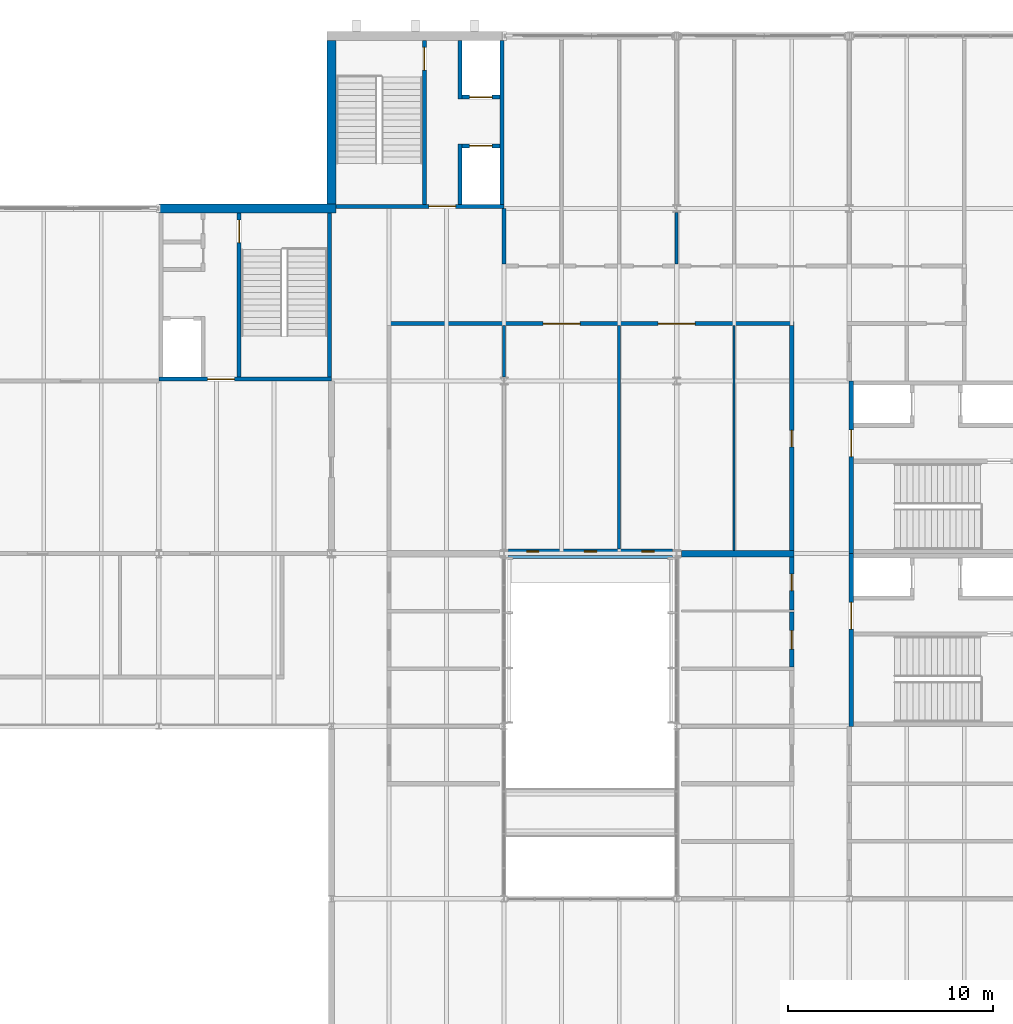
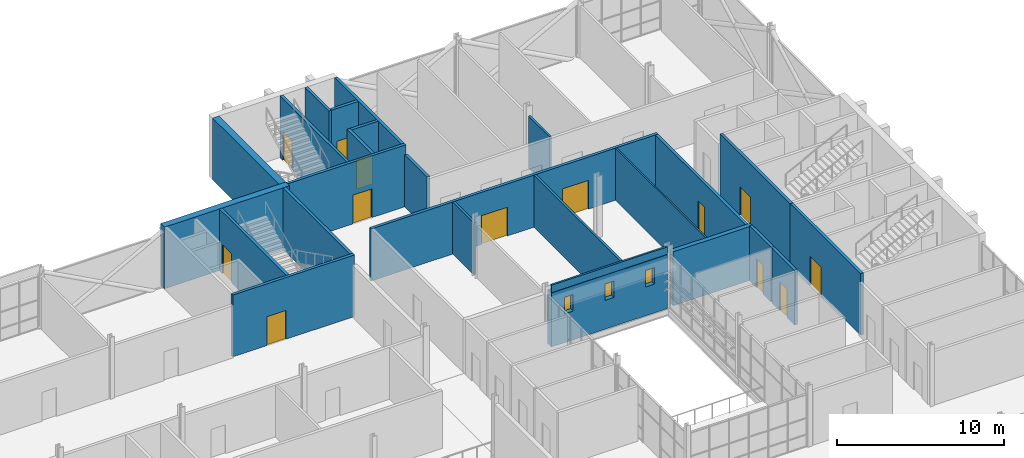
# One storey, part 94 of 129: 26 walls, 13 doors, 3 windows, 16 openings.
"""IFC4 building model written with IfcOpenShell, lengths in metres."""

from ifc_helpers import new_model, si_unit, direction, frame, frame_2d, origin, place, context, subcontext, project, spatial, rectangle, extrude, material, layer, layer_set, type_object, element, fill, save


model = new_model("IFC4")

# Units and contexts
model_context = context("Model", 3, precision=1e-05, world=origin(), true_north=direction((0.0, 1.0)))
body_context = subcontext(model_context, "Body", "Model", "MODEL_VIEW")
ifc_project = project(units=[si_unit("LENGTHUNIT", "METRE"), si_unit("AREAUNIT", "SQUARE_METRE"), si_unit("VOLUMEUNIT", "CUBIC_METRE"), si_unit("PLANEANGLEUNIT", "RADIAN"), si_unit("MASSUNIT", "GRAM", prefix="KILO")], contexts=[model_context])

# Site, building, storey
site_placement = place(None, origin())
site = spatial("IfcSite", under=ifc_project, at=site_placement, CompositionType="ELEMENT")
building_placement = place(site_placement, origin())
building = spatial("IfcBuilding", under=site, at=building_placement, Name="Ardhachandra Cancer Care Centre", CompositionType="ELEMENT")
storey_placement = place(building_placement, frame((0.0, 0.0, 4.5)))
storey = spatial("IfcBuildingStorey", under=building, at=storey_placement, Name="L01", CompositionType="ELEMENT", Elevation=4.5)

# Wall
ifc_material_1 = material(Name="Brick masonry", Category="masonry")
ifc_layer_1 = layer(ifc_material_1, 0.300048828125)
ifc_layer_set_1 = layer_set([ifc_layer_1], Name="Brick masonry")
wall_type_1 = type_object("IfcWallType", Name="COMPARTMENT WALL 300", PredefinedType="SOLIDWALL", material=ifc_layer_set_1)
wall_1_placement = place(storey_placement, frame((128.625, 79.800048828125, 0.0), z_axis=(0.0, 0.0, 1.0), x_axis=(1.0, 0.0, 0.0)))
element("IfcWall", 1, at=wall_1_placement, inside=storey, type_object=wall_type_1, Name="R/wall/L01/h0079800_0128625", PredefinedType="SOLIDWALL", context=body_context, shape_type="SweptSolid", body=[
    extrude(rectangle(XDim=5.47509765625, YDim=0.300048828125, at=frame_2d((2.737548828125, 0.0))), origin(), (0.0, 0.0, 1.0), 3.93603515625),
])

# Wall, openings, doors
ifc_material_2 = material(Name="Gypsum board corridor partition on steel studs", Category="steel")
ifc_layer_2 = layer(ifc_material_2, 0.199951171875)
ifc_layer_set_2 = layer_set([ifc_layer_2], Name="Gypsum board corridor partition on steel studs")
wall_type_2 = type_object("IfcWallType", Name="CORRIDOR WALL 200", PredefinedType="PARTITIONING", material=ifc_layer_set_2)
wall_2_placement = place(storey_placement, frame((114.300048828125, 91.0, 0.0), z_axis=(0.0, 0.0, 1.0), x_axis=(1.0, 0.0, 0.0)))
wall_2 = element("IfcWall", 2, at=wall_2_placement, inside=storey, type_object=wall_type_2, Name="R/wall/L01/h0091000_0114300", PredefinedType="PARTITIONING", context=body_context, shape_type="SweptSolid", body=[
    extrude(rectangle(XDim=19.800048828125, YDim=0.199951171875, at=frame_2d((9.89990234375, 0.0))), origin(), (0.0, 0.0, 1.0), 3.800048828125),
])
opening_1_placement = place(wall_2_placement, frame((7.60009765625, 0.0, 0.0)))
opening_1 = element("IfcOpeningElement", 3, at=opening_1_placement, cuts=wall_2, Name="Opening L01-0035", PredefinedType="OPENING", context=body_context, shape_type="SweptSolid", body=[
    extrude(rectangle(XDim=1.800048828125, YDim=2.10009765625, at=frame_2d((0.89990234375, 1.050048828125))), frame((0.0, 0.10986328125, 0.0), z_axis=(0.0, -1.0, 0.0), x_axis=(1.0, 0.0, 0.0)), (0.0, 0.0, 1.0), 0.219970703125),
])
opening_2_placement = place(wall_2_placement, frame((13.199951171875, 0.0, 0.0)))
opening_2 = element("IfcOpeningElement", 4, at=opening_2_placement, cuts=wall_2, Name="Opening L01-0036", PredefinedType="OPENING", context=body_context, shape_type="SweptSolid", body=[
    extrude(rectangle(XDim=1.800048828125, YDim=2.10009765625, at=frame_2d((0.89990234375, 1.050048828125))), frame((0.0, 0.10986328125, 0.0), z_axis=(0.0, -1.0, 0.0), x_axis=(1.0, 0.0, 0.0)), (0.0, 0.0, 1.0), 0.219970703125),
])
ifc_material_3 = material(Name="Timber fire door with smoke seals", Category="wood")
door_type_1 = type_object("IfcDoorType", Name="FIRE DOOR DOUBLE 1800x2100 FD30S", OperationType="NOTDEFINED", PredefinedType="DOOR", material=ifc_material_3)
door_1_placement = place(opening_1_placement, origin())
door_1 = element("IfcDoor", 5, at=door_1_placement, inside=storey, type_object=door_type_1, Name="Door L01-0035", OperationType="DOUBLE_DOOR_SINGLE_SWING", OverallHeight=2.10009765625, OverallWidth=1.800048828125, PredefinedType="DOOR", context=body_context, shape_type="SweptSolid", body=[
    extrude(rectangle(XDim=1.800048828125, YDim=2.10009765625, at=frame_2d((0.89990234375, 1.050048828125))), frame((0.0, 0.02490234375, 0.0), z_axis=(0.0, -1.0, 0.0), x_axis=(1.0, 0.0, 0.0)), (0.0, 0.0, 1.0), 0.050048828125),
])
fill(opening_1, door_1)
door_2_placement = place(opening_2_placement, origin())
door_2 = element("IfcDoor", 6, at=door_2_placement, inside=storey, type_object=door_type_1, Name="Door L01-0036", OperationType="DOUBLE_DOOR_SINGLE_SWING", OverallHeight=2.10009765625, OverallWidth=1.800048828125, PredefinedType="DOOR", context=body_context, shape_type="SweptSolid", body=[
    extrude(rectangle(XDim=1.800048828125, YDim=2.10009765625, at=frame_2d((0.89990234375, 1.050048828125))), frame((0.0, 0.02490234375, 0.0), z_axis=(0.0, -1.0, 0.0), x_axis=(1.0, 0.0, 0.0)), (0.0, 0.0, 1.0), 0.050048828125),
])
fill(opening_2, door_2)

# Wall
wall_3_placement = place(storey_placement, frame((120.0, 93.89990234375, 0.0), z_axis=(0.0, 0.0, 1.0), x_axis=(0.0, 1.0, 0.0)))
element("IfcWall", 7, at=wall_3_placement, inside=storey, type_object=wall_type_2, Name="R/wall/L01/v0120000_0093900", PredefinedType="PARTITIONING", context=body_context, shape_type="SweptSolid", body=[
    extrude(rectangle(XDim=2.7001953125, YDim=0.199951171875, at=frame_2d((1.35009765625, 0.0))), origin(), (0.0, 0.0, 1.0), 3.800048828125),
])

# Wall, opening, door
wall_4_placement = place(storey_placement, frame((134.0, 74.27490234375, 0.0), z_axis=(0.0, 0.0, 1.0), x_axis=(0.0, 1.0, 0.0)))
wall_4 = element("IfcWall", 8, at=wall_4_placement, inside=storey, type_object=wall_type_2, Name="R/wall/L01/v0134000_0074275", PredefinedType="PARTITIONING", context=body_context, shape_type="SweptSolid", body=[
    extrude(rectangle(XDim=2.675048828125, YDim=0.199951171875, at=frame_2d((1.33740234375, 0.0))), origin(), (0.0, 0.0, 1.0), 3.99609375),
])
opening_3_placement = place(wall_4_placement, frame((0.875, 0.0, 0.0)))
opening_3 = element("IfcOpeningElement", 9, at=opening_3_placement, cuts=wall_4, Name="Opening L01-0083", PredefinedType="OPENING", context=body_context, shape_type="SweptSolid", body=[
    extrude(rectangle(XDim=0.89990234375, YDim=2.10009765625, at=frame_2d((0.449951171875, 1.050048828125))), frame((0.0, 0.10986328125, 0.0), z_axis=(0.0, -1.0, 0.0), x_axis=(1.0, 0.0, 0.0)), (0.0, 0.0, 1.0), 0.219970703125),
])
ifc_material_4 = material(Name="Timber fire door with smoke seals", Category="wood")
door_type_2 = type_object("IfcDoorType", Name="FIRE DOOR WC 900x2100 FD30S", OperationType="NOTDEFINED", PredefinedType="DOOR", material=ifc_material_4)
door_3_placement = place(opening_3_placement, origin())
door_3 = element("IfcDoor", 10, at=door_3_placement, inside=storey, type_object=door_type_2, Name="Door L01-0083", OperationType="SINGLE_SWING_LEFT", OverallHeight=2.10009765625, OverallWidth=0.89990234375, PredefinedType="DOOR", context=body_context, shape_type="SweptSolid", body=[
    extrude(rectangle(XDim=0.89990234375, YDim=2.10009765625, at=frame_2d((0.449951171875, 1.050048828125))), frame((0.0, 0.02490234375, 0.0), z_axis=(0.0, -1.0, 0.0), x_axis=(1.0, 0.0, 0.0)), (0.0, 0.0, 1.0), 0.050048828125),
])
fill(opening_3, door_3)

wall_5_placement = place(storey_placement, frame((134.0, 77.050048828125, 0.0), z_axis=(0.0, 0.0, 1.0), x_axis=(0.0, 1.0, 0.0)))
wall_5 = element("IfcWall", 11, at=wall_5_placement, inside=storey, type_object=wall_type_2, Name="R/wall/L01/v0134000_0077050", PredefinedType="PARTITIONING", context=body_context, shape_type="SweptSolid", body=[
    extrude(rectangle(XDim=2.599853515625, YDim=0.199951171875, at=frame_2d((1.2998046875, 0.0))), origin(), (0.0, 0.0, 1.0), 3.99609375),
])
opening_4_placement = place(wall_5_placement, frame((0.949951171875, 0.0, 0.0)))
opening_4 = element("IfcOpeningElement", 12, at=opening_4_placement, cuts=wall_5, Name="Opening L01-0084", PredefinedType="OPENING", context=body_context, shape_type="SweptSolid", body=[
    extrude(rectangle(XDim=0.800048828125, YDim=2.10009765625, at=frame_2d((0.39990234375, 1.050048828125))), frame((0.0, 0.10986328125, 0.0), z_axis=(0.0, -1.0, 0.0), x_axis=(1.0, 0.0, 0.0)), (0.0, 0.0, 1.0), 0.219970703125),
])
ifc_material_5 = material(Name="Timber flush fire door", Category="wood")
door_type_3 = type_object("IfcDoorType", Name="STORE DOOR 800x2100 FD30S", OperationType="NOTDEFINED", PredefinedType="DOOR", material=ifc_material_5)
door_4_placement = place(opening_4_placement, origin())
door_4 = element("IfcDoor", 13, at=door_4_placement, inside=storey, type_object=door_type_3, Name="Door L01-0084", OperationType="SINGLE_SWING_RIGHT", OverallHeight=2.10009765625, OverallWidth=0.800048828125, PredefinedType="DOOR", context=body_context, shape_type="SweptSolid", body=[
    extrude(rectangle(XDim=0.800048828125, YDim=2.10009765625, at=frame_2d((0.39990234375, 1.050048828125))), frame((0.0, 0.02490234375, 0.0), z_axis=(0.0, -1.0, 0.0), x_axis=(1.0, 0.0, 0.0)), (0.0, 0.0, 1.0), 0.050048828125),
])
fill(opening_4, door_4)

wall_6_placement = place(storey_placement, frame((134.0, 79.949951171875, 0.0), z_axis=(0.0, 0.0, 1.0), x_axis=(0.0, 1.0, 0.0)))
wall_6 = element("IfcWall", 14, at=wall_6_placement, inside=storey, type_object=wall_type_2, Name="R/wall/L01/v0134000_0079950", PredefinedType="PARTITIONING", context=body_context, shape_type="SweptSolid", body=[
    extrude(rectangle(XDim=10.949951171875, YDim=0.199951171875, at=frame_2d((5.47509765625, 0.0))), origin(), (0.0, 0.0, 1.0), 3.800048828125),
])
opening_5_placement = place(wall_6_placement, frame((5.050048828125, 0.0, 0.0)))
opening_5 = element("IfcOpeningElement", 15, at=opening_5_placement, cuts=wall_6, Name="Opening L01-0085", PredefinedType="OPENING", context=body_context, shape_type="SweptSolid", body=[
    extrude(rectangle(XDim=0.800048828125, YDim=2.10009765625, at=frame_2d((0.39990234375, 1.050048828125))), frame((0.0, 0.10986328125, 0.0), z_axis=(0.0, -1.0, 0.0), x_axis=(1.0, 0.0, 0.0)), (0.0, 0.0, 1.0), 0.219970703125),
])
door_5_placement = place(opening_5_placement, origin())
door_5 = element("IfcDoor", 16, at=door_5_placement, inside=storey, type_object=door_type_3, Name="Door L01-0085", OperationType="SINGLE_SWING_RIGHT", OverallHeight=2.10009765625, OverallWidth=0.800048828125, PredefinedType="DOOR", context=body_context, shape_type="SweptSolid", body=[
    extrude(rectangle(XDim=0.800048828125, YDim=2.10009765625, at=frame_2d((0.39990234375, 1.050048828125))), frame((0.0, 0.02490234375, 0.0), z_axis=(0.0, -1.0, 0.0), x_axis=(1.0, 0.0, 0.0)), (0.0, 0.0, 1.0), 0.050048828125),
])
fill(opening_5, door_5)

# Walls
ifc_material_6 = material(Name="Concrete M40", Category="concrete")
ifc_layer_3 = layer(ifc_material_6, 0.449951171875)
ifc_layer_set_3 = layer_set([ifc_layer_3], Name="Concrete M40")
wall_type_3 = type_object("IfcWallType", Name="Core exterior wall RC 450", PredefinedType="SOLIDWALL", material=ifc_layer_set_3)
wall_7_placement = place(storey_placement, frame((111.824951171875, 96.60009765625, 0.0), z_axis=(0.0, 0.0, 1.0), x_axis=(-1.0, 0.0, 0.0)))
element("IfcWall", 17, at=wall_7_placement, inside=storey, type_object=wall_type_3, Name="Core wall K7 FAR", PredefinedType="SOLIDWALL", context=body_context, shape_type="SweptSolid", body=[
    extrude(rectangle(XDim=8.625, YDim=0.449951171875, at=frame_2d((4.3125, 0.0))), origin(), (0.0, 0.0, 1.0), 4.5),
])
wall_8_placement = place(storey_placement, frame((111.60009765625, 96.824951171875, 0.0), z_axis=(0.0, 0.0, 1.0), x_axis=(0.0, 1.0, 0.0)))
element("IfcWall", 18, at=wall_8_placement, inside=storey, type_object=wall_type_3, Name="Core wall K12 UW", PredefinedType="SOLIDWALL", context=body_context, shape_type="SweptSolid", body=[
    extrude(rectangle(XDim=7.949951171875, YDim=0.449951171875, at=frame_2d((3.97509765625, 0.0))), origin(), (0.0, 0.0, 1.0), 4.5),
])

# Wall, opening, door
ifc_material_7 = material(Name="Concrete M40", Category="concrete")
ifc_layer_4 = layer(ifc_material_7, 0.199951171875)
ifc_layer_set_4 = layer_set([ifc_layer_4], Name="Concrete M40")
wall_type_4 = type_object("IfcWallType", Name="Core wall RC 200", PredefinedType="SOLIDWALL", material=ifc_layer_set_4)
wall_9_placement = place(storey_placement, frame((111.60009765625, 88.300048828125, 0.0), z_axis=(0.0, 0.0, 1.0), x_axis=(-1.0, 0.0, 0.0)))
wall_9 = element("IfcWall", 19, at=wall_9_placement, inside=storey, type_object=wall_type_4, Name="Core wall K7 ENT", PredefinedType="SOLIDWALL", context=body_context, shape_type="SweptSolid", body=[
    extrude(rectangle(XDim=8.400146484375, YDim=0.199951171875, at=frame_2d((4.2001953125, 0.0))), origin(), (0.0, 0.0, 1.0), 4.5),
])
opening_6_placement = place(wall_9_placement, frame((4.72509765625, 0.0, 0.0)))
opening_6 = element("IfcOpeningElement", 20, at=opening_6_placement, cuts=wall_9, Name="Opening L01-K07-1", PredefinedType="OPENING", context=body_context, shape_type="SweptSolid", body=[
    extrude(rectangle(XDim=1.300048828125, YDim=2.10009765625, at=frame_2d((0.64990234375, 1.050048828125))), frame((0.0, 0.10986328125, 0.0), z_axis=(0.0, -1.0, 0.0), x_axis=(1.0, 0.0, 0.0)), (0.0, 0.0, 1.0), 0.219970703125),
])
ifc_material_8 = material(Name="Steel door set", Category="steel")
door_type_4 = type_object("IfcDoorType", Name="Core entry double door 1300x2100 FD60", OperationType="DOUBLE_DOOR_DOUBLE_SWING", PredefinedType="DOOR", material=ifc_material_8)
door_6_placement = place(opening_6_placement, origin())
door_6 = element("IfcDoor", 21, at=door_6_placement, inside=storey, type_object=door_type_4, Name="Core entry door", OperationType="DOUBLE_DOOR_DOUBLE_SWING", OverallHeight=2.10009765625, OverallWidth=1.300048828125, PredefinedType="DOOR", context=body_context, shape_type="SweptSolid", body=[
    extrude(rectangle(XDim=1.300048828125, YDim=2.10009765625, at=frame_2d((0.64990234375, 1.050048828125))), frame((0.0, 0.02490234375, 0.0), z_axis=(0.0, -1.0, 0.0), x_axis=(1.0, 0.0, 0.0)), (0.0, 0.0, 1.0), 0.050048828125),
])
fill(opening_6, door_6)

# Wall
wall_10_placement = place(storey_placement, frame((111.5, 88.39990234375, 0.0), z_axis=(0.0, 0.0, 1.0), x_axis=(0.0, 1.0, 0.0)))
element("IfcWall", 22, at=wall_10_placement, inside=storey, type_object=wall_type_4, Name="Core wall K7 UW", PredefinedType="SOLIDWALL", context=body_context, shape_type="SweptSolid", body=[
    extrude(rectangle(XDim=7.97509765625, YDim=0.199951171875, at=frame_2d((3.987548828125, 0.0))), origin(), (0.0, 0.0, 1.0), 4.5),
])

# Wall, opening, door
wall_11_placement = place(storey_placement, frame((107.10009765625, 88.39990234375, 0.0), z_axis=(0.0, 0.0, 1.0), x_axis=(0.0, 1.0, 0.0)))
wall_11 = element("IfcWall", 23, at=wall_11_placement, inside=storey, type_object=wall_type_4, Name="Core wall K7 P1", PredefinedType="SOLIDWALL", context=body_context, shape_type="SweptSolid", body=[
    extrude(rectangle(XDim=7.97509765625, YDim=0.199951171875, at=frame_2d((3.987548828125, 0.0))), origin(), (0.0, 0.0, 1.0), 4.5),
])
opening_7_placement = place(wall_11_placement, frame((6.53759765625, 0.0, 0.0)))
opening_7 = element("IfcOpeningElement", 24, at=opening_7_placement, cuts=wall_11, Name="Opening L01-K07-2", PredefinedType="OPENING", context=body_context, shape_type="SweptSolid", body=[
    extrude(rectangle(XDim=1.10009765625, YDim=2.10009765625, at=frame_2d((0.550048828125, 1.050048828125))), frame((0.0, 0.10986328125, 0.0), z_axis=(0.0, -1.0, 0.0), x_axis=(1.0, 0.0, 0.0)), (0.0, 0.0, 1.0), 0.219970703125),
])
ifc_material_9 = material(Name="Steel door set", Category="steel")
door_type_5 = type_object("IfcDoorType", Name="Stair door 1100x2100 FD60S", OperationType="NOTDEFINED", PredefinedType="DOOR", material=ifc_material_9)
door_7_placement = place(opening_7_placement, origin())
door_7 = element("IfcDoor", 25, at=door_7_placement, inside=storey, type_object=door_type_5, Name="Stair door", OperationType="SINGLE_SWING_LEFT", OverallHeight=2.10009765625, OverallWidth=1.10009765625, PredefinedType="DOOR", context=body_context, shape_type="SweptSolid", body=[
    extrude(rectangle(XDim=1.10009765625, YDim=2.10009765625, at=frame_2d((0.550048828125, 1.050048828125))), frame((0.0, 0.02490234375, 0.0), z_axis=(0.0, -1.0, 0.0), x_axis=(1.0, 0.0, 0.0)), (0.0, 0.0, 1.0), 0.050048828125),
])
fill(opening_7, door_7)

wall_12_placement = place(storey_placement, frame((136.89990234375, 71.39990234375, 0.0), z_axis=(0.0, 0.0, 1.0), x_axis=(0.0, 1.0, 0.0)))
wall_12 = element("IfcWall", 26, at=wall_12_placement, inside=storey, type_object=wall_type_4, Name="Core wall K10 ENT", PredefinedType="SOLIDWALL", context=body_context, shape_type="SweptSolid", body=[
    extrude(rectangle(XDim=8.400146484375, YDim=0.199951171875, at=frame_2d((4.2001953125, 0.0))), origin(), (0.0, 0.0, 1.0), 4.5),
])
opening_8_placement = place(wall_12_placement, frame((4.72509765625, 0.0, 0.0)))
opening_8 = element("IfcOpeningElement", 27, at=opening_8_placement, cuts=wall_12, Name="Opening L01-K10-1", PredefinedType="OPENING", context=body_context, shape_type="SweptSolid", body=[
    extrude(rectangle(XDim=1.300048828125, YDim=2.10009765625, at=frame_2d((0.64990234375, 1.050048828125))), frame((0.0, 0.10986328125, 0.0), z_axis=(0.0, -1.0, 0.0), x_axis=(1.0, 0.0, 0.0)), (0.0, 0.0, 1.0), 0.219970703125),
])
door_8_placement = place(opening_8_placement, origin())
door_8 = element("IfcDoor", 28, at=door_8_placement, inside=storey, type_object=door_type_4, Name="Core entry door", OperationType="DOUBLE_DOOR_DOUBLE_SWING", OverallHeight=2.10009765625, OverallWidth=1.300048828125, PredefinedType="DOOR", context=body_context, shape_type="SweptSolid", body=[
    extrude(rectangle(XDim=1.300048828125, YDim=2.10009765625, at=frame_2d((0.64990234375, 1.050048828125))), frame((0.0, 0.02490234375, 0.0), z_axis=(0.0, -1.0, 0.0), x_axis=(1.0, 0.0, 0.0)), (0.0, 0.0, 1.0), 0.050048828125),
])
fill(opening_8, door_8)

wall_13_placement = place(storey_placement, frame((111.824951171875, 96.699951171875, 0.0), z_axis=(0.0, 0.0, 1.0), x_axis=(1.0, 0.0, 0.0)))
wall_13 = element("IfcWall", 29, at=wall_13_placement, inside=storey, type_object=wall_type_4, Name="Core wall K12 ENT", PredefinedType="SOLIDWALL", context=body_context, shape_type="SweptSolid", body=[
    extrude(rectangle(XDim=8.175048828125, YDim=0.199951171875, at=frame_2d((4.08740234375, 0.0))), origin(), (0.0, 0.0, 1.0), 4.5),
])
opening_9_placement = place(wall_13_placement, frame((4.512451171875, 0.0, 0.0)))
opening_9 = element("IfcOpeningElement", 30, at=opening_9_placement, cuts=wall_13, Name="Opening L01-K12-1", PredefinedType="OPENING", context=body_context, shape_type="SweptSolid", body=[
    extrude(rectangle(XDim=1.300048828125, YDim=2.10009765625, at=frame_2d((0.64990234375, 1.050048828125))), frame((0.0, 0.10986328125, 0.0), z_axis=(0.0, -1.0, 0.0), x_axis=(1.0, 0.0, 0.0)), (0.0, 0.0, 1.0), 0.219970703125),
])
door_9_placement = place(opening_9_placement, origin())
door_9 = element("IfcDoor", 31, at=door_9_placement, inside=storey, type_object=door_type_4, Name="Core entry door", OperationType="DOUBLE_DOOR_DOUBLE_SWING", OverallHeight=2.10009765625, OverallWidth=1.300048828125, PredefinedType="DOOR", context=body_context, shape_type="SweptSolid", body=[
    extrude(rectangle(XDim=1.300048828125, YDim=2.10009765625, at=frame_2d((0.64990234375, 1.050048828125))), frame((0.0, 0.02490234375, 0.0), z_axis=(0.0, -1.0, 0.0), x_axis=(1.0, 0.0, 0.0)), (0.0, 0.0, 1.0), 0.050048828125),
])
fill(opening_9, door_9)

# Wall
wall_14_placement = place(storey_placement, frame((119.89990234375, 96.800048828125, 0.0), z_axis=(0.0, 0.0, 1.0), x_axis=(0.0, 1.0, 0.0)))
element("IfcWall", 32, at=wall_14_placement, inside=storey, type_object=wall_type_4, Name="Core wall K12 UE", PredefinedType="SOLIDWALL", context=body_context, shape_type="SweptSolid", body=[
    extrude(rectangle(XDim=7.974853515625, YDim=0.199951171875, at=frame_2d((3.9873046875, 0.0))), origin(), (0.0, 0.0, 1.0), 4.5),
])

# Wall, opening, door
wall_15_placement = place(storey_placement, frame((116.125, 96.800048828125, 0.0), z_axis=(0.0, 0.0, 1.0), x_axis=(0.0, 1.0, 0.0)))
wall_15 = element("IfcWall", 33, at=wall_15_placement, inside=storey, type_object=wall_type_4, Name="Core wall K12 P1", PredefinedType="SOLIDWALL", context=body_context, shape_type="SweptSolid", body=[
    extrude(rectangle(XDim=7.974853515625, YDim=0.199951171875, at=frame_2d((3.9873046875, 0.0))), origin(), (0.0, 0.0, 1.0), 4.5),
])
opening_10_placement = place(wall_15_placement, frame((6.53759765625, 0.0, 0.0)))
opening_10 = element("IfcOpeningElement", 34, at=opening_10_placement, cuts=wall_15, Name="Opening L01-K12-2", PredefinedType="OPENING", context=body_context, shape_type="SweptSolid", body=[
    extrude(rectangle(XDim=1.10009765625, YDim=2.10009765625, at=frame_2d((0.550048828125, 1.050048828125))), frame((0.0, 0.10986328125, 0.0), z_axis=(0.0, -1.0, 0.0), x_axis=(1.0, 0.0, 0.0)), (0.0, 0.0, 1.0), 0.219970703125),
])
door_10_placement = place(opening_10_placement, origin())
door_10 = element("IfcDoor", 35, at=door_10_placement, inside=storey, type_object=door_type_5, Name="Stair door", OperationType="SINGLE_SWING_RIGHT", OverallHeight=2.10009765625, OverallWidth=1.10009765625, PredefinedType="DOOR", context=body_context, shape_type="SweptSolid", body=[
    extrude(rectangle(XDim=1.10009765625, YDim=2.10009765625, at=frame_2d((0.550048828125, 1.050048828125))), frame((0.0, 0.02490234375, 0.0), z_axis=(0.0, -1.0, 0.0), x_axis=(1.0, 0.0, 0.0)), (0.0, 0.0, 1.0), 0.050048828125),
])
fill(opening_10, door_10)

# Walls
wall_16_placement = place(storey_placement, frame((117.85009765625, 96.800048828125, 0.0), z_axis=(0.0, 0.0, 1.0), x_axis=(0.0, 1.0, 0.0)))
element("IfcWall", 36, at=wall_16_placement, inside=storey, type_object=wall_type_4, Name="Core wall K12 P2A", PredefinedType="SOLIDWALL", context=body_context, shape_type="SweptSolid", body=[
    extrude(rectangle(XDim=2.949951171875, YDim=0.199951171875, at=frame_2d((1.47509765625, 0.0))), origin(), (0.0, 0.0, 1.0), 4.5),
])
wall_17_placement = place(storey_placement, frame((117.85009765625, 101.925048828125, 0.0), z_axis=(0.0, 0.0, 1.0), x_axis=(0.0, 1.0, 0.0)))
element("IfcWall", 37, at=wall_17_placement, inside=storey, type_object=wall_type_4, Name="Core wall K12 P2B", PredefinedType="SOLIDWALL", context=body_context, shape_type="SweptSolid", body=[
    extrude(rectangle(XDim=2.849853515625, YDim=0.199951171875, at=frame_2d((1.4248046875, 0.0))), origin(), (0.0, 0.0, 1.0), 4.5),
])

# Wall, opening, door
wall_18_placement = place(storey_placement, frame((117.949951171875, 99.64990234375, 0.0), z_axis=(0.0, 0.0, 1.0), x_axis=(1.0, 0.0, 0.0)))
wall_18 = element("IfcWall", 38, at=wall_18_placement, inside=storey, type_object=wall_type_4, Name="Core wall K12 W1", PredefinedType="SOLIDWALL", context=body_context, shape_type="SweptSolid", body=[
    extrude(rectangle(XDim=1.85009765625, YDim=0.199951171875, at=frame_2d((0.925048828125, 0.0))), origin(), (0.0, 0.0, 1.0), 4.5),
])
opening_11_placement = place(wall_18_placement, frame((0.375, 0.0, 0.0)))
opening_11 = element("IfcOpeningElement", 39, at=opening_11_placement, cuts=wall_18, Name="Opening L01-K12-3", PredefinedType="OPENING", context=body_context, shape_type="SweptSolid", body=[
    extrude(rectangle(XDim=1.10009765625, YDim=2.10009765625, at=frame_2d((0.550048828125, 1.050048828125))), frame((0.0, 0.10986328125, 0.0), z_axis=(0.0, -1.0, 0.0), x_axis=(1.0, 0.0, 0.0)), (0.0, 0.0, 1.0), 0.219970703125),
])
ifc_material_10 = material(Name="Stainless steel (grade 304)", Category="steel")
door_type_6 = type_object("IfcDoorType", Name="Lift landing door 1100x2100", OperationType="DOUBLE_DOOR_SLIDING", PredefinedType="DOOR", material=ifc_material_10)
door_11_placement = place(opening_11_placement, origin())
door_11 = element("IfcDoor", 40, at=door_11_placement, inside=storey, type_object=door_type_6, Name="Lift landing door LF-K12-1", OperationType="DOUBLE_DOOR_SLIDING", OverallHeight=2.10009765625, OverallWidth=1.10009765625, PredefinedType="DOOR", context=body_context, shape_type="SweptSolid", body=[
    extrude(rectangle(XDim=1.10009765625, YDim=2.10009765625, at=frame_2d((0.550048828125, 1.050048828125))), frame((0.0, 0.02490234375, 0.0), z_axis=(0.0, -1.0, 0.0), x_axis=(1.0, 0.0, 0.0)), (0.0, 0.0, 1.0), 0.050048828125),
])
fill(opening_11, door_11)

wall_19_placement = place(storey_placement, frame((117.949951171875, 102.02490234375, 0.0), z_axis=(0.0, 0.0, 1.0), x_axis=(1.0, 0.0, 0.0)))
wall_19 = element("IfcWall", 41, at=wall_19_placement, inside=storey, type_object=wall_type_4, Name="Core wall K12 W2", PredefinedType="SOLIDWALL", context=body_context, shape_type="SweptSolid", body=[
    extrude(rectangle(XDim=1.85009765625, YDim=0.199951171875, at=frame_2d((0.925048828125, 0.0))), origin(), (0.0, 0.0, 1.0), 4.5),
])
opening_12_placement = place(wall_19_placement, frame((0.375, 0.0, 0.0)))
opening_12 = element("IfcOpeningElement", 42, at=opening_12_placement, cuts=wall_19, Name="Opening L01-K12-4", PredefinedType="OPENING", context=body_context, shape_type="SweptSolid", body=[
    extrude(rectangle(XDim=1.10009765625, YDim=2.10009765625, at=frame_2d((0.550048828125, 1.050048828125))), frame((0.0, 0.10986328125, 0.0), z_axis=(0.0, -1.0, 0.0), x_axis=(1.0, 0.0, 0.0)), (0.0, 0.0, 1.0), 0.219970703125),
])
door_12_placement = place(opening_12_placement, origin())
door_12 = element("IfcDoor", 43, at=door_12_placement, inside=storey, type_object=door_type_6, Name="Lift landing door LF-K12-2", OperationType="DOUBLE_DOOR_SLIDING", OverallHeight=2.10009765625, OverallWidth=1.10009765625, PredefinedType="DOOR", context=body_context, shape_type="SweptSolid", body=[
    extrude(rectangle(XDim=1.10009765625, YDim=2.10009765625, at=frame_2d((0.550048828125, 1.050048828125))), frame((0.0, 0.02490234375, 0.0), z_axis=(0.0, -1.0, 0.0), x_axis=(1.0, 0.0, 0.0)), (0.0, 0.0, 1.0), 0.050048828125),
])
fill(opening_12, door_12)

wall_20_placement = place(storey_placement, frame((136.89990234375, 79.800048828125, 0.0), z_axis=(0.0, 0.0, 1.0), x_axis=(0.0, 1.0, 0.0)))
wall_20 = element("IfcWall", 44, at=wall_20_placement, inside=storey, type_object=wall_type_4, Name="Core wall K13 ENT", PredefinedType="SOLIDWALL", context=body_context, shape_type="SweptSolid", body=[
    extrude(rectangle(XDim=8.39990234375, YDim=0.199951171875, at=frame_2d((4.199951171875, 0.0))), origin(), (0.0, 0.0, 1.0), 4.5),
])
opening_13_placement = place(wall_20_placement, frame((4.72509765625, 0.0, 0.0)))
opening_13 = element("IfcOpeningElement", 45, at=opening_13_placement, cuts=wall_20, Name="Opening L01-K13-1", PredefinedType="OPENING", context=body_context, shape_type="SweptSolid", body=[
    extrude(rectangle(XDim=1.300048828125, YDim=2.10009765625, at=frame_2d((0.64990234375, 1.050048828125))), frame((0.0, 0.10986328125, 0.0), z_axis=(0.0, -1.0, 0.0), x_axis=(1.0, 0.0, 0.0)), (0.0, 0.0, 1.0), 0.219970703125),
])
door_13_placement = place(opening_13_placement, origin())
door_13 = element("IfcDoor", 46, at=door_13_placement, inside=storey, type_object=door_type_4, Name="Core entry door", OperationType="DOUBLE_DOOR_DOUBLE_SWING", OverallHeight=2.10009765625, OverallWidth=1.300048828125, PredefinedType="DOOR", context=body_context, shape_type="SweptSolid", body=[
    extrude(rectangle(XDim=1.300048828125, YDim=2.10009765625, at=frame_2d((0.64990234375, 1.050048828125))), frame((0.0, 0.02490234375, 0.0), z_axis=(0.0, -1.0, 0.0), x_axis=(1.0, 0.0, 0.0)), (0.0, 0.0, 1.0), 0.050048828125),
])
fill(opening_13, door_13)

# Walls
ifc_material_11 = material(Name="Precast Concrete M30 fascia panel with brick slip facing", Category="masonry")
ifc_layer_5 = layer(ifc_material_11, 0.1298828125)
ifc_layer_set_5 = layer_set([ifc_layer_5], Name="Precast Concrete M30 fascia panel with brick slip facing")
wall_type_5 = type_object("IfcWallType", Name="Edge beam fascia 130", PredefinedType="SOLIDWALL", material=ifc_layer_set_5)
wall_21_placement = place(storey_placement, frame((120.197509765625, 79.639892578125, 3.9560546875), z_axis=(0.0, 0.0, 1.0), x_axis=(1.0, 0.0, 0.0)))
element("IfcWall", 47, at=wall_21_placement, inside=storey, type_object=wall_type_5, Name="E/fascia/L01/s/0120000_0079800", PredefinedType="SOLIDWALL", context=body_context, shape_type="SweptSolid", body=[
    extrude(rectangle(XDim=8.0048828125, YDim=0.1298828125, at=frame_2d((4.00244140625, 0.0))), origin(), (0.0, 0.0, 1.0), 0.5439453125),
])
ifc_material_12 = material(Name="Gypsum board partition on steel studs", Category="steel")
ifc_layer_6 = layer(ifc_material_12, 0.14990234375)
ifc_layer_set_6 = layer_set([ifc_layer_6], Name="Gypsum board partition on steel studs")
wall_type_6 = type_object("IfcWallType", Name="PARTITION 150", PredefinedType="PARTITIONING", material=ifc_layer_set_6)
wall_22_placement = place(storey_placement, frame((120.0, 88.3974609375, 0.0), z_axis=(0.0, 0.0, 1.0), x_axis=(0.0, 1.0, 0.0)))
element("IfcWall", 48, at=wall_22_placement, inside=storey, type_object=wall_type_6, Name="R/wall/L01/v0120000_0088398", PredefinedType="PARTITIONING", context=body_context, shape_type="SweptSolid", body=[
    extrude(rectangle(XDim=2.50244140625, YDim=0.14990234375, at=frame_2d((1.251220703125, 0.0))), origin(), (0.0, 0.0, 1.0), 3.800048828125),
])
wall_23_placement = place(storey_placement, frame((125.60009765625, 80.02490234375, 0.0), z_axis=(0.0, 0.0, 1.0), x_axis=(0.0, 1.0, 0.0)))
element("IfcWall", 49, at=wall_23_placement, inside=storey, type_object=wall_type_6, Name="R/wall/L01/v0125600_0080025", PredefinedType="PARTITIONING", context=body_context, shape_type="SweptSolid", body=[
    extrude(rectangle(XDim=10.875, YDim=0.14990234375, at=frame_2d((5.4375, 0.0))), origin(), (0.0, 0.0, 1.0), 3.800048828125),
])
wall_24_placement = place(storey_placement, frame((128.39990234375, 93.89990234375, 0.0), z_axis=(0.0, 0.0, 1.0), x_axis=(0.0, 1.0, 0.0)))
element("IfcWall", 50, at=wall_24_placement, inside=storey, type_object=wall_type_6, Name="R/wall/L01/v0128400_0093900", PredefinedType="PARTITIONING", context=body_context, shape_type="SweptSolid", body=[
    extrude(rectangle(XDim=2.502685546875, YDim=0.14990234375, at=frame_2d((1.25146484375, 0.0))), origin(), (0.0, 0.0, 1.0), 3.800048828125),
])
ifc_material_13 = material(Name="Concrete block masonry", Category="masonry")
ifc_layer_7 = layer(ifc_material_13, 0.10009765625)
ifc_layer_set_7 = layer_set([ifc_layer_7], Name="Concrete block masonry")
wall_type_7 = type_object("IfcWallType", Name="STORE PARTITION 100", PredefinedType="SOLIDWALL", material=ifc_layer_set_7)
wall_25_placement = place(storey_placement, frame((131.199951171875, 79.949951171875, 0.0), z_axis=(0.0, 0.0, 1.0), x_axis=(0.0, 1.0, 0.0)))
element("IfcWall", 51, at=wall_25_placement, inside=storey, type_object=wall_type_7, Name="R/wall/L01/v0131200_0079950", PredefinedType="SOLIDWALL", context=body_context, shape_type="SweptSolid", body=[
    extrude(rectangle(XDim=10.949951171875, YDim=0.10009765625, at=frame_2d((5.47509765625, 0.0))), origin(), (0.0, 0.0, 1.0), 3.800048828125),
])

# Wall, openings, windows
ifc_material_14 = material(Name="Brick masonry with Concrete M30 core 150", Category="masonry")
ifc_layer_8 = layer(ifc_material_14, 0.449951171875)
ifc_layer_set_8 = layer_set([ifc_layer_8], Name="Brick masonry with Concrete M30 core 150")
wall_type_8 = type_object("IfcWallType", Name="Shielded brick wall 450", PredefinedType="SOLIDWALL", material=ifc_layer_set_8)
wall_26_placement = place(storey_placement, frame((120.197509765625, 79.800048828125, 0.0), z_axis=(0.0, 0.0, 1.0), x_axis=(1.0, 0.0, 0.0)))
wall_26 = element("IfcWall", 52, at=wall_26_placement, inside=storey, type_object=wall_type_8, Name="E/wall/L01/s/0120000_0079800", PredefinedType="SOLIDWALL", context=body_context, shape_type="SweptSolid", body=[
    extrude(rectangle(XDim=8.0048828125, YDim=0.449951171875, at=frame_2d((4.00244140625, 0.0))), origin(), (0.0, 0.0, 1.0), 3.93603515625),
])
opening_14_placement = place(wall_26_placement, frame((0.902587890625, 0.0, 2.10009765625)))
opening_14 = element("IfcOpeningElement", 53, at=opening_14_placement, cuts=wall_26, Name="Opening W4", PredefinedType="OPENING", context=body_context, shape_type="SweptSolid", body=[
    extrude(rectangle(XDim=0.60009765625, YDim=1.199951171875, at=frame_2d((0.300048828125, 0.60009765625))), frame((0.0, 0.23486328125, 0.0), z_axis=(0.0, -1.0, 0.0), x_axis=(1.0, 0.0, 0.0)), (0.0, 0.0, 1.0), 0.469970703125),
])
opening_15_placement = place(wall_26_placement, frame((3.702392578125, 0.0, 2.10009765625)))
opening_15 = element("IfcOpeningElement", 54, at=opening_15_placement, cuts=wall_26, Name="Opening W4", PredefinedType="OPENING", context=body_context, shape_type="SweptSolid", body=[
    extrude(rectangle(XDim=0.60009765625, YDim=1.199951171875, at=frame_2d((0.300048828125, 0.60009765625))), frame((0.0, 0.23486328125, 0.0), z_axis=(0.0, -1.0, 0.0), x_axis=(1.0, 0.0, 0.0)), (0.0, 0.0, 1.0), 0.469970703125),
])
opening_16_placement = place(wall_26_placement, frame((6.50244140625, 0.0, 2.10009765625)))
opening_16 = element("IfcOpeningElement", 55, at=opening_16_placement, cuts=wall_26, Name="Opening W4", PredefinedType="OPENING", context=body_context, shape_type="SweptSolid", body=[
    extrude(rectangle(XDim=0.60009765625, YDim=1.199951171875, at=frame_2d((0.300048828125, 0.60009765625))), frame((0.0, 0.23486328125, 0.0), z_axis=(0.0, -1.0, 0.0), x_axis=(1.0, 0.0, 0.0)), (0.0, 0.0, 1.0), 0.469970703125),
])
ifc_material_15 = material(Name="Aluminium frame with double-glazed unit", Category="aluminium")
window_type = type_object("IfcWindowType", Name="Slot window 600 x 1200", PartitioningType="SINGLE_PANEL", PredefinedType="WINDOW", material=ifc_material_15)
window_1_placement = place(opening_14_placement, origin())
window_1 = element("IfcWindow", 56, at=window_1_placement, inside=storey, type_object=window_type, Name="W4 window L01 s/0120000_0079800 1", OverallHeight=1.199951171875, OverallWidth=0.60009765625, PartitioningType="SINGLE_PANEL", PredefinedType="WINDOW", context=body_context, shape_type="SweptSolid", body=[
    extrude(rectangle(XDim=0.60009765625, YDim=1.199951171875, at=frame_2d((0.300048828125, 0.60009765625))), frame((0.0, 0.135009765625, 0.0), z_axis=(0.0, -1.0, 0.0), x_axis=(1.0, 0.0, 0.0)), (0.0, 0.0, 1.0), 0.06005859375),
])
fill(opening_14, window_1)
window_2_placement = place(opening_15_placement, origin())
window_2 = element("IfcWindow", 57, at=window_2_placement, inside=storey, type_object=window_type, Name="W4 window L01 s/0120000_0079800 2", OverallHeight=1.199951171875, OverallWidth=0.60009765625, PartitioningType="SINGLE_PANEL", PredefinedType="WINDOW", context=body_context, shape_type="SweptSolid", body=[
    extrude(rectangle(XDim=0.60009765625, YDim=1.199951171875, at=frame_2d((0.300048828125, 0.60009765625))), frame((0.0, 0.135009765625, 0.0), z_axis=(0.0, -1.0, 0.0), x_axis=(1.0, 0.0, 0.0)), (0.0, 0.0, 1.0), 0.06005859375),
])
fill(opening_15, window_2)
window_3_placement = place(opening_16_placement, origin())
window_3 = element("IfcWindow", 58, at=window_3_placement, inside=storey, type_object=window_type, Name="W4 window L01 s/0120000_0079800 3", OverallHeight=1.199951171875, OverallWidth=0.60009765625, PartitioningType="SINGLE_PANEL", PredefinedType="WINDOW", context=body_context, shape_type="SweptSolid", body=[
    extrude(rectangle(XDim=0.60009765625, YDim=1.199951171875, at=frame_2d((0.300048828125, 0.60009765625))), frame((0.0, 0.135009765625, 0.0), z_axis=(0.0, -1.0, 0.0), x_axis=(1.0, 0.0, 0.0)), (0.0, 0.0, 1.0), 0.06005859375),
])
fill(opening_16, window_3)

save(model, "model.ifc")
